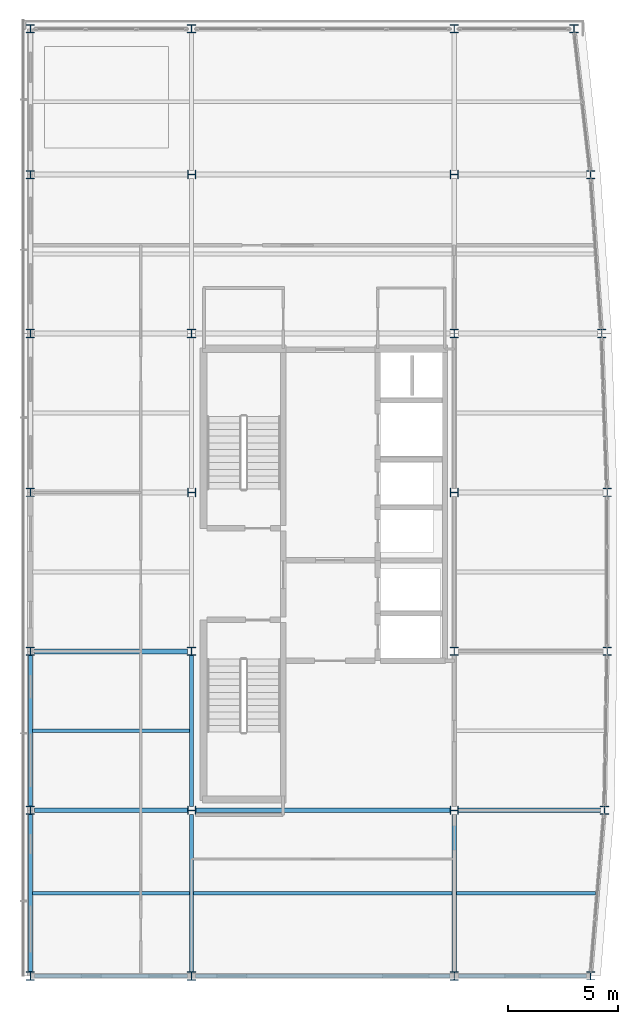
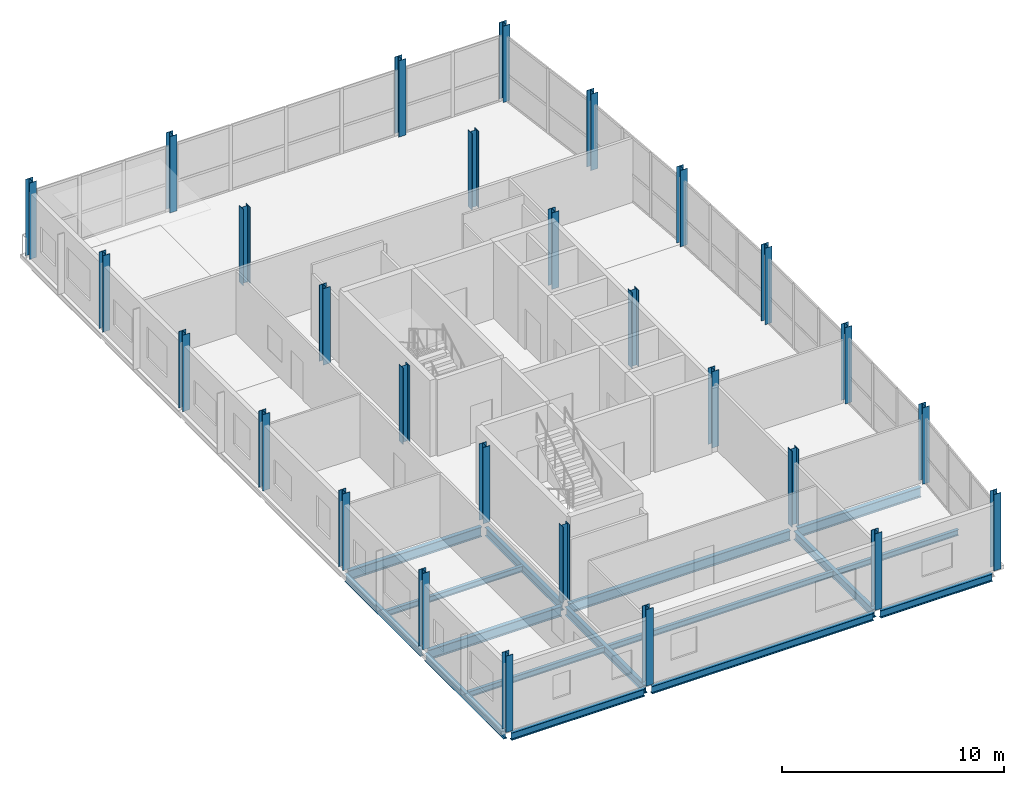
# One storey, part 1 of 16: 28 columns, 16 beams.
"""IFC4 building model written with IfcOpenShell, lengths in metres."""

from ifc_helpers import new_model, si_unit, direction, frame, origin, origin_2d, place, context, subcontext, project, spatial, i_section, extrude, material, material_profile, profile_set, type_object, element, save


model = new_model("IFC4")

# Units and contexts
model_context = context("Model", 3, precision=1e-05, world=origin(), true_north=direction((0.0, 1.0)))
body_context = subcontext(model_context, "Body", "Model", "MODEL_VIEW")
ifc_project = project(units=[si_unit("LENGTHUNIT", "METRE"), si_unit("AREAUNIT", "SQUARE_METRE"), si_unit("VOLUMEUNIT", "CUBIC_METRE"), si_unit("PLANEANGLEUNIT", "RADIAN"), si_unit("MASSUNIT", "GRAM", prefix="KILO")], contexts=[model_context])

# Site, building, storey
site_placement = place(None, origin())
site = spatial("IfcSite", under=ifc_project, at=site_placement, CompositionType="ELEMENT")
building_placement = place(site_placement, origin())
building = spatial("IfcBuilding", under=site, at=building_placement, Name="Quillay Park Conservatory", CompositionType="ELEMENT")
storey_placement = place(building_placement, frame((0.0, 0.0, 39.300048828125)))
storey = spatial("IfcBuildingStorey", under=building, at=storey_placement, Name="L09", CompositionType="ELEMENT", Elevation=39.300048828125)

# Columns
ifc_material_1 = material(Name="Steel ASTM A992 Grade 50", Category="steel")
ifc_material_profile_1 = material_profile(ifc_material_1, i_section(OverallWidth=0.37109375, OverallDepth=0.364013671875, WebThickness=0.01318359375, FlangeThickness=0.021728515625, FilletRadius=0.014892578125, at=origin_2d()), Name="W360x162")
ifc_profile_set_1 = profile_set([ifc_material_profile_1], Name="Steel ASTM A992 Grade 50")
column_type = type_object("IfcColumnType", Name="COMPOSITE STEEL COLUMN W360 X162", PredefinedType="COLUMN", material=ifc_profile_set_1)
for number, where, z_axis, x_axis, name in (
    (1, (0.550048828125, 70.5, 0.0), (0.0, 0.0, 1.0), (1.0, 0.0, 0.0), "L09 column COL-V4-L09-0-0"),
    (2, (7.85009765625, 70.5, 0.0), (0.0, 0.0, 1.0), (1.0, 0.0, 0.0), "L09 column COL-V4-L09-0-1"),
    (3, (19.75, 70.5, 0.0), (0.0, 0.0, 1.0), (1.0, 0.0, 0.0), "L09 column COL-V4-L09-0-2"),
    (4, (25.925048828125, 70.5, 0.0), (0.0, 0.0, 1.0), (1.0, 0.0, 0.0), "L09 column COL-V4-L09-0-3"),
    (5, (0.550048828125, 78.0, 0.0), (0.0, 0.0, 1.0), (1.0, 0.0, 0.0), "L09 column COL-V4-L09-1-0"),
    (6, (7.85009765625, 78.0, 0.0), (0.0, 0.0, 1.0), (0.0, 1.0, 0.0), "L09 column COL-V4-L09-1-1"),
    (7, (19.75, 78.0, 0.0), (0.0, 0.0, 1.0), (0.0, 1.0, 0.0), "L09 column COL-V4-L09-1-2"),
    (8, (26.550048828125, 78.0, 0.0), (0.0, 0.0, 1.0), (1.0, 0.0, 0.0), "L09 column COL-V4-L09-1-3"),
    (9, (0.550048828125, 85.199951171875, 0.0), (0.0, 0.0, 1.0), (1.0, 0.0, 0.0), "L09 column COL-V4-L09-2-0"),
    (10, (7.85009765625, 85.199951171875, 0.0), (0.0, 0.0, 1.0), (1.0, 0.0, 0.0), "L09 column COL-V4-L09-2-1"),
    (11, (19.75, 85.199951171875, 0.0), (0.0, 0.0, 1.0), (1.0, 0.0, 0.0), "L09 column COL-V4-L09-2-2"),
    (12, (26.675048828125, 85.199951171875, 0.0), (0.0, 0.0, 1.0), (1.0, 0.0, 0.0), "L09 column COL-V4-L09-2-3"),
    (13, (0.550048828125, 92.39990234375, 0.0), (0.0, 0.0, 1.0), (1.0, 0.0, 0.0), "L09 column COL-V4-L09-3-0"),
    (14, (7.85009765625, 92.39990234375, 0.0), (0.0, 0.0, 1.0), (0.0, 1.0, 0.0), "L09 column COL-V4-L09-3-1"),
    (15, (19.75, 92.39990234375, 0.0), (0.0, 0.0, 1.0), (0.0, 1.0, 0.0), "L09 column COL-V4-L09-3-2"),
    (16, (26.675048828125, 92.39990234375, 0.0), (0.0, 0.0, 1.0), (1.0, 0.0, 0.0), "L09 column COL-V4-L09-3-3"),
    (17, (0.550048828125, 99.60009765625, 0.0), (0.0, 0.0, 1.0), (1.0, 0.0, 0.0), "L09 column COL-V4-L09-4-0"),
    (18, (7.85009765625, 99.60009765625, 0.0), (0.0, 0.0, 1.0), (1.0, 0.0, 0.0), "L09 column COL-V4-L09-4-1"),
    (19, (19.75, 99.60009765625, 0.0), (0.0, 0.0, 1.0), (1.0, 0.0, 0.0), "L09 column COL-V4-L09-4-2"),
    (20, (26.425048828125, 99.60009765625, 0.0), (0.0, 0.0, 1.0), (1.0, 0.0, 0.0), "L09 column COL-V4-L09-4-3"),
    (21, (0.550048828125, 106.800048828125, 0.0), (0.0, 0.0, 1.0), (1.0, 0.0, 0.0), "L09 column COL-V4-L09-5-0"),
    (22, (7.85009765625, 106.800048828125, 0.0), (0.0, 0.0, 1.0), (0.0, 1.0, 0.0), "L09 column COL-V4-L09-5-1"),
    (23, (19.75, 106.800048828125, 0.0), (0.0, 0.0, 1.0), (0.0, 1.0, 0.0), "L09 column COL-V4-L09-5-2"),
    (24, (25.925048828125, 106.800048828125, 0.0), (0.0, 0.0, 1.0), (1.0, 0.0, 0.0), "L09 column COL-V4-L09-5-3"),
    (25, (0.550048828125, 113.39990234375, 0.0), (0.0, 0.0, 1.0), (1.0, 0.0, 0.0), "L09 column COL-V4-L09-6-0"),
    (26, (7.85009765625, 113.39990234375, 0.0), (0.0, 0.0, 1.0), (1.0, 0.0, 0.0), "L09 column COL-V4-L09-6-1"),
    (27, (19.75, 113.39990234375, 0.0), (0.0, 0.0, 1.0), (1.0, 0.0, 0.0), "L09 column COL-V4-L09-6-2"),
    (28, (25.175048828125, 113.39990234375, 0.0), (0.0, 0.0, 1.0), (1.0, 0.0, 0.0), "L09 column COL-V4-L09-6-3"),
):
    element("IfcColumn", number, at=place(storey_placement, frame(where, z_axis=z_axis, x_axis=x_axis)), inside=storey, type_object=column_type, Name=name, PredefinedType="COLUMN", context=body_context, shape_type="SweptSolid", body=[
        extrude(i_section(OverallWidth=0.37109375, OverallDepth=0.364013671875, WebThickness=0.01318359375, FlangeThickness=0.021728515625, FilletRadius=0.014892578125, at=origin_2d()), origin(), (0.0, 0.0, 1.0), 4.199951171875),
    ])

# Beams
ifc_material_2 = material(Name="Steel ASTM A992 Grade 50", Category="steel")
ifc_material_profile_2 = material_profile(ifc_material_2, i_section(OverallWidth=0.166015625, OverallDepth=0.31298828125, WebThickness=0.006591796875, FlangeThickness=0.01123046875, FilletRadius=0.010009765625, at=origin_2d()), Name="W310x45")
ifc_profile_set_2 = profile_set([ifc_material_profile_2], Name="Steel ASTM A992 Grade 50")
beam_type_1 = type_object("IfcBeamType", Name="COMPOSITE FLOOR JOIST W310 X45", PredefinedType="JOIST", material=ifc_profile_set_2)
beam_1_placement = place(storey_placement, frame((0.639892578125, 74.25, -0.3564453125), z_axis=(1.0, 0.0, 0.0), x_axis=(0.0, 1.0, 0.0)))
element("IfcBeam", 29, at=beam_1_placement, inside=storey, type_object=beam_type_1, Name="L09 beam BM-J-0675", PredefinedType="JOIST", context=body_context, shape_type="SweptSolid", body=[
    extrude(i_section(OverallWidth=0.166015625, OverallDepth=0.31298828125, WebThickness=0.006591796875, FlangeThickness=0.01123046875, FilletRadius=0.010009765625, at=origin_2d()), origin(), (0.0, 0.0, 1.0), 7.114013671875),
])
beam_2_placement = place(storey_placement, frame((19.845947265625, 74.25, -0.3564453125), z_axis=(1.0, 0.0, 0.0), x_axis=(0.0, 1.0, 0.0)))
element("IfcBeam", 30, at=beam_2_placement, inside=storey, type_object=beam_type_1, Name="L09 beam BM-J-0676", PredefinedType="JOIST", context=body_context, shape_type="SweptSolid", body=[
    extrude(i_section(OverallWidth=0.166015625, OverallDepth=0.31298828125, WebThickness=0.006591796875, FlangeThickness=0.01123046875, FilletRadius=0.010009765625, at=origin_2d()), origin(), (0.0, 0.0, 1.0), 6.301513671875),
])
beam_3_placement = place(storey_placement, frame((7.946044921875, 74.25, -0.3564453125), z_axis=(1.0, 0.0, 0.0), x_axis=(0.0, 1.0, 0.0)))
element("IfcBeam", 31, at=beam_3_placement, inside=storey, type_object=beam_type_1, Name="L09 beam BM-J-0677", PredefinedType="JOIST", context=body_context, shape_type="SweptSolid", body=[
    extrude(i_section(OverallWidth=0.166015625, OverallDepth=0.31298828125, WebThickness=0.006591796875, FlangeThickness=0.01123046875, FilletRadius=0.010009765625, at=origin_2d()), origin(), (0.0, 0.0, 1.0), 11.7080078125),
])
beam_4_placement = place(storey_placement, frame((0.639892578125, 81.60009765625, -0.3564453125), z_axis=(1.0, 0.0, 0.0), x_axis=(0.0, 1.0, 0.0)))
element("IfcBeam", 32, at=beam_4_placement, inside=storey, type_object=beam_type_1, Name="L09 beam BM-J-0682", PredefinedType="JOIST", context=body_context, shape_type="SweptSolid", body=[
    extrude(i_section(OverallWidth=0.166015625, OverallDepth=0.31298828125, WebThickness=0.006591796875, FlangeThickness=0.01123046875, FilletRadius=0.010009765625, at=origin_2d()), origin(), (0.0, 0.0, 1.0), 7.114013671875),
])
ifc_material_3 = material(Name="Steel ASTM A992 Grade 50", Category="steel")
ifc_material_profile_3 = material_profile(ifc_material_3, i_section(OverallWidth=0.179931640625, OverallDepth=0.4130859375, WebThickness=0.009765625, FlangeThickness=0.01611328125, FilletRadius=0.011962890625, at=origin_2d()), Name="W410x74")
ifc_profile_set_3 = profile_set([ifc_material_profile_3], Name="Steel ASTM A992 Grade 50")
beam_type_2 = type_object("IfcBeamType", Name="PERIMETER SPANDREL BEAM W410 X74", PredefinedType="SPANDREL", material=ifc_profile_set_3)
beam_5_placement = place(storey_placement, frame((0.735595703125, 70.5, -0.406494140625), z_axis=(1.0, 0.0, 0.0), x_axis=(0.0, 1.0, 0.0)))
element("IfcBeam", 33, at=beam_5_placement, inside=storey, type_object=beam_type_2, Name="L09 beam BM-SP-0652", PredefinedType="SPANDREL", context=body_context, shape_type="SweptSolid", body=[
    extrude(i_section(OverallWidth=0.179931640625, OverallDepth=0.4130859375, WebThickness=0.009765625, FlangeThickness=0.01611328125, FilletRadius=0.011962890625, at=origin_2d()), origin(), (0.0, 0.0, 1.0), 6.928955078125),
])
beam_6_placement = place(storey_placement, frame((8.035400390625, 70.5, -0.406494140625), z_axis=(1.0, 0.0, 0.0), x_axis=(0.0, 1.0, 0.0)))
element("IfcBeam", 34, at=beam_6_placement, inside=storey, type_object=beam_type_2, Name="L09 beam BM-SP-0653", PredefinedType="SPANDREL", context=body_context, shape_type="SweptSolid", body=[
    extrude(i_section(OverallWidth=0.179931640625, OverallDepth=0.4130859375, WebThickness=0.009765625, FlangeThickness=0.01611328125, FilletRadius=0.011962890625, at=origin_2d()), origin(), (0.0, 0.0, 1.0), 11.529052734375),
])
beam_7_placement = place(storey_placement, frame((19.935546875, 70.5, -0.406494140625), z_axis=(1.0, 0.0, 0.0), x_axis=(0.0, 1.0, 0.0)))
element("IfcBeam", 35, at=beam_7_placement, inside=storey, type_object=beam_type_2, Name="L09 beam BM-SP-0654", PredefinedType="SPANDREL", context=body_context, shape_type="SweptSolid", body=[
    extrude(i_section(OverallWidth=0.179931640625, OverallDepth=0.4130859375, WebThickness=0.009765625, FlangeThickness=0.01611328125, FilletRadius=0.011962890625, at=origin_2d()), origin(), (0.0, 0.0, 1.0), 5.803955078125),
])
beam_8_placement = place(storey_placement, frame((0.550048828125, 70.681884765625, -0.406494140625), z_axis=(0.0, 1.0, 0.0), x_axis=(-1.0, 0.0, 0.0)))
element("IfcBeam", 36, at=beam_8_placement, inside=storey, type_object=beam_type_2, Name="L09 beam BM-SPW-0671", PredefinedType="SPANDREL", context=body_context, shape_type="SweptSolid", body=[
    extrude(i_section(OverallWidth=0.179931640625, OverallDepth=0.4130859375, WebThickness=0.009765625, FlangeThickness=0.01611328125, FilletRadius=0.011962890625, at=origin_2d()), origin(), (0.0, 0.0, 1.0), 7.13623046875),
])
beam_9_placement = place(storey_placement, frame((0.550048828125, 78.181884765625, -0.406494140625), z_axis=(0.0, 1.0, 0.0), x_axis=(-1.0, 0.0, 0.0)))
element("IfcBeam", 37, at=beam_9_placement, inside=storey, type_object=beam_type_2, Name="L09 beam BM-SPW-0678", PredefinedType="SPANDREL", context=body_context, shape_type="SweptSolid", body=[
    extrude(i_section(OverallWidth=0.179931640625, OverallDepth=0.4130859375, WebThickness=0.009765625, FlangeThickness=0.01611328125, FilletRadius=0.011962890625, at=origin_2d()), origin(), (0.0, 0.0, 1.0), 6.836181640625),
])
ifc_material_4 = material(Name="Steel ASTM A992 Grade 50", Category="steel")
ifc_material_profile_4 = material_profile(ifc_material_4, i_section(OverallWidth=0.19189453125, OverallDepth=0.462890625, WebThickness=0.010498046875, FlangeThickness=0.017578125, FilletRadius=0.012939453125, at=origin_2d()), Name="W460x89")
ifc_profile_set_4 = profile_set([ifc_material_profile_4], Name="Steel ASTM A992 Grade 50")
beam_type_3 = type_object("IfcBeamType", Name="PRIMARY FLOOR GIRDER W460 X89", PredefinedType="BEAM", material=ifc_profile_set_4)
for number, where, z_axis, x_axis, name in (
    (38, (7.85009765625, 70.681884765625, -0.431640625), (0.0, 1.0, 0.0), (-1.0, 0.0, 0.0), "L09 beam BM-GNS-0673"),
    (39, (19.75, 70.681884765625, -0.431640625), (0.0, 1.0, 0.0), (-1.0, 0.0, 0.0), "L09 beam BM-GNS-0674"),
):
    element("IfcBeam", number, at=place(storey_placement, frame(where, z_axis=z_axis, x_axis=x_axis)), inside=storey, type_object=beam_type_3, Name=name, PredefinedType="BEAM", context=body_context, shape_type="SweptSolid", body=[
        extrude(i_section(OverallWidth=0.19189453125, OverallDepth=0.462890625, WebThickness=0.010498046875, FlangeThickness=0.017578125, FilletRadius=0.012939453125, at=origin_2d()), origin(), (0.0, 0.0, 1.0), 7.132568359375),
    ])
beam_10_placement = place(storey_placement, frame((7.85009765625, 78.185546875, -0.431640625), z_axis=(0.0, 1.0, 0.0), x_axis=(-1.0, 0.0, 0.0)))
element("IfcBeam", 40, at=beam_10_placement, inside=storey, type_object=beam_type_3, Name="L09 beam BM-GNS-0680", PredefinedType="BEAM", context=body_context, shape_type="SweptSolid", body=[
    extrude(i_section(OverallWidth=0.19189453125, OverallDepth=0.462890625, WebThickness=0.010498046875, FlangeThickness=0.017578125, FilletRadius=0.012939453125, at=origin_2d()), origin(), (0.0, 0.0, 1.0), 6.83251953125),
])
ifc_material_5 = material(Name="Steel ASTM A992 Grade 50", Category="steel")
ifc_material_profile_5 = material_profile(ifc_material_5, i_section(OverallWidth=0.2109375, OverallDepth=0.5390625, WebThickness=0.01171875, FlangeThickness=0.018798828125, FilletRadius=0.013916015625, at=origin_2d()), Name="W530x109")
ifc_profile_set_5 = profile_set([ifc_material_profile_5], Name="Steel ASTM A992 Grade 50")
beam_type_4 = type_object("IfcBeamType", Name="PRIMARY FLOOR GIRDER W530 X109", PredefinedType="BEAM", material=ifc_profile_set_5)
beam_11_placement = place(storey_placement, frame((0.735595703125, 78.0, -0.469482421875), z_axis=(1.0, 0.0, 0.0), x_axis=(0.0, 1.0, 0.0)))
element("IfcBeam", 41, at=beam_11_placement, inside=storey, type_object=beam_type_4, Name="L09 beam BM-G-0655", PredefinedType="BEAM", context=body_context, shape_type="SweptSolid", body=[
    extrude(i_section(OverallWidth=0.2109375, OverallDepth=0.5390625, WebThickness=0.01171875, FlangeThickness=0.018798828125, FilletRadius=0.013916015625, at=origin_2d()), origin(), (0.0, 0.0, 1.0), 6.932373046875),
])
beam_12_placement = place(storey_placement, frame((8.031982421875, 78.0, -0.469482421875), z_axis=(1.0, 0.0, 0.0), x_axis=(0.0, 1.0, 0.0)))
element("IfcBeam", 42, at=beam_12_placement, inside=storey, type_object=beam_type_4, Name="L09 beam BM-G-0656", PredefinedType="BEAM", context=body_context, shape_type="SweptSolid", body=[
    extrude(i_section(OverallWidth=0.2109375, OverallDepth=0.5390625, WebThickness=0.01171875, FlangeThickness=0.018798828125, FilletRadius=0.013916015625, at=origin_2d()), origin(), (0.0, 0.0, 1.0), 11.5361328125),
])
beam_13_placement = place(storey_placement, frame((19.931884765625, 78.0, -0.469482421875), z_axis=(1.0, 0.0, 0.0), x_axis=(0.0, 1.0, 0.0)))
element("IfcBeam", 43, at=beam_13_placement, inside=storey, type_object=beam_type_4, Name="L09 beam BM-G-0657", PredefinedType="BEAM", context=body_context, shape_type="SweptSolid", body=[
    extrude(i_section(OverallWidth=0.2109375, OverallDepth=0.5390625, WebThickness=0.01171875, FlangeThickness=0.018798828125, FilletRadius=0.013916015625, at=origin_2d()), origin(), (0.0, 0.0, 1.0), 6.4326171875),
])
beam_14_placement = place(storey_placement, frame((0.735595703125, 85.199951171875, -0.469482421875), z_axis=(1.0, 0.0, 0.0), x_axis=(0.0, 1.0, 0.0)))
element("IfcBeam", 44, at=beam_14_placement, inside=storey, type_object=beam_type_4, Name="L09 beam BM-G-0658", PredefinedType="BEAM", context=body_context, shape_type="SweptSolid", body=[
    extrude(i_section(OverallWidth=0.2109375, OverallDepth=0.5390625, WebThickness=0.01171875, FlangeThickness=0.018798828125, FilletRadius=0.013916015625, at=origin_2d()), origin(), (0.0, 0.0, 1.0), 6.928955078125),
])

save(model, "model.ifc")
